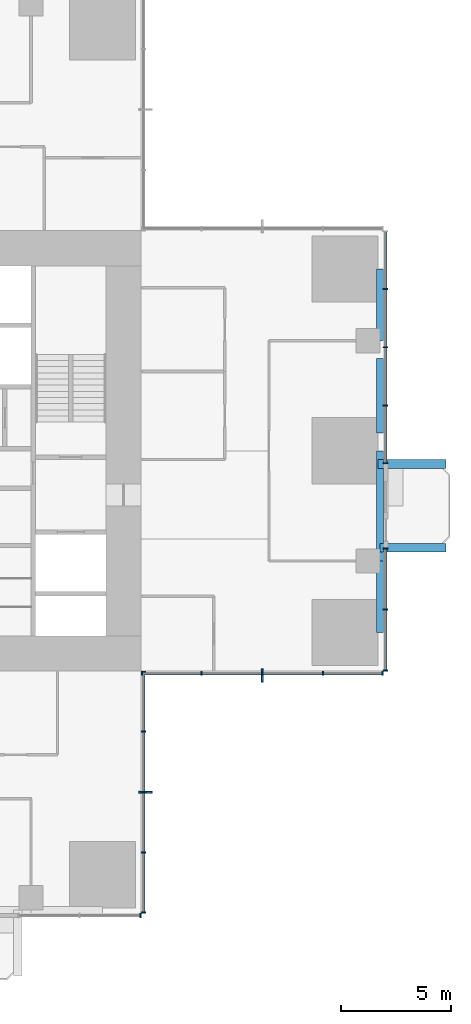
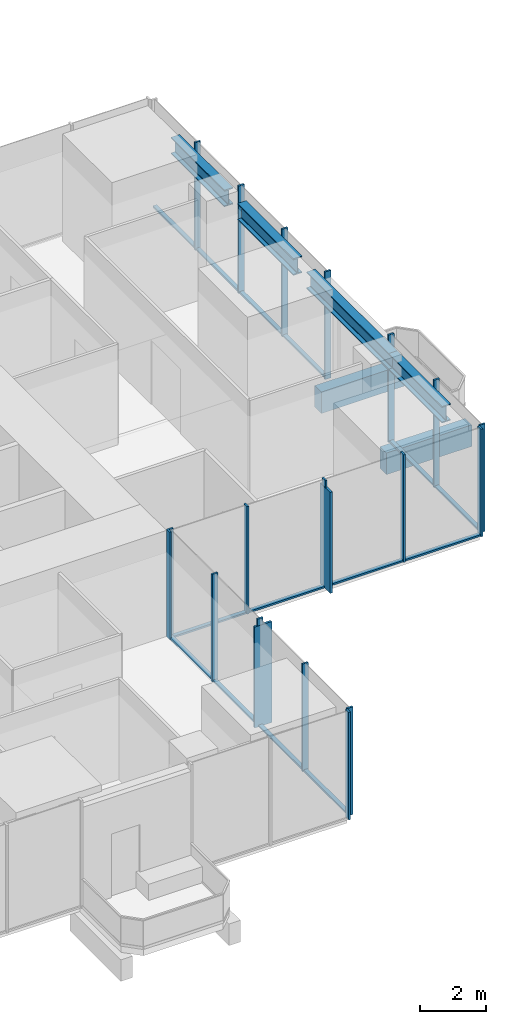
# One storey, part 4 of 13: 34 members, 6 beams, 5 elements without a shape of their own.
"""IFC4 building model written with IfcOpenShell, lengths in metres."""

from ifc_helpers import new_model, si_unit, direction, frame, origin, origin_2d, place, context, subcontext, project, spatial, rectangle, i_section, extrude, material, material_profile, profile_set, type_object, element, aggregate, save


model = new_model("IFC4")

# Units and contexts
model_context = context("Model", 3, precision=1e-05, world=origin(), true_north=direction((0.0, 1.0)))
body_context = subcontext(model_context, "Body", "Model", "MODEL_VIEW")
ifc_project = project(units=[si_unit("LENGTHUNIT", "METRE"), si_unit("AREAUNIT", "SQUARE_METRE"), si_unit("VOLUMEUNIT", "CUBIC_METRE"), si_unit("PLANEANGLEUNIT", "RADIAN"), si_unit("MASSUNIT", "GRAM", prefix="KILO")], contexts=[model_context])

# Site, building, storey
site_placement = place(None, origin())
site = spatial("IfcSite", under=ifc_project, at=site_placement, CompositionType="ELEMENT")
building_placement = place(site_placement, origin())
building = spatial("IfcBuilding", under=site, at=building_placement, Name="Svetlomir Tower", CompositionType="ELEMENT")
storey_placement = place(building_placement, frame((0.0, 0.0, 152.5)))
storey = spatial("IfcBuildingStorey", under=building, at=storey_placement, Name="L36", CompositionType="ELEMENT", Elevation=152.5)

# Beams
ifc_material_1 = material(Name="Concrete C60/75", Category="concrete")
ifc_material_profile_1 = material_profile(ifc_material_1, rectangle(XDim=0.39990234375, YDim=0.800048828125, at=origin_2d()), Name="RC 400x800")
ifc_profile_set_1 = profile_set([ifc_material_profile_1], Name="Concrete C60/75")
beam_type_1 = type_object("IfcBeamType", Name="BALCONY RIB RC 400x800", PredefinedType="BEAM", material=ifc_profile_set_1)
beam_1_placement = place(storey_placement, frame((41.85009765625, 16.60009765625, -0.64990234375), z_axis=(1.0, 0.0, 0.0), x_axis=(0.0, 1.0, 0.0)))
element("IfcBeam", 1, at=beam_1_placement, inside=storey, type_object=beam_type_1, Name="Balcony rib E 1 L36", PredefinedType="BEAM", context=body_context, shape_type="SweptSolid", body=[
    extrude(rectangle(XDim=0.39990234375, YDim=0.800048828125, at=origin_2d()), origin(), (0.0, 0.0, 1.0), 3.0),
])
beam_2_placement = place(storey_placement, frame((41.75, 20.39990234375, -0.64990234375), z_axis=(1.0, 0.0, 0.0), x_axis=(0.0, 1.0, 0.0)))
element("IfcBeam", 2, at=beam_2_placement, inside=storey, type_object=beam_type_1, Name="Balcony rib E 2 L36", PredefinedType="BEAM", context=body_context, shape_type="SweptSolid", body=[
    extrude(rectangle(XDim=0.39990234375, YDim=0.800048828125, at=origin_2d()), origin(), (0.0, 0.0, 1.0), 3.10009765625),
])

# Curtain wall, member
ifc_material_2 = material(Name="Bronze anodised aluminium curtain wall", Category="aluminium")
curtain_wall_type = type_object("IfcCurtainWallType", Name="CURTAIN WALL CW1 TOWER OFFICE", PredefinedType="NOTDEFINED", material=ifc_material_2)
curtain_wall_1_placement = place(storey_placement, origin())
curtain_wall_1 = element("IfcCurtainWall", 3, at=curtain_wall_1_placement, inside=storey, type_object=curtain_wall_type, Name="Curtain wall CW1 L36", PredefinedType="NOTDEFINED")
ifc_material_3 = material(Name="Bronze anodised aluminium", Category="aluminium")
ifc_material_profile_2 = material_profile(ifc_material_3, rectangle(XDim=0.080078125, YDim=0.60009765625, at=origin_2d()), Name="FIN 80x600")
ifc_profile_set_2 = profile_set([ifc_material_profile_2], Name="Bronze anodised aluminium 6063-T6")
member_type_1 = type_object("IfcMemberType", Name="BRONZE FIN 80x600", PredefinedType="USERDEFINED", material=ifc_profile_set_2)
member_1_placement = place(storey_placement, frame((31.199951171875, 5.5, 0.0), z_axis=(0.0, 0.0, 1.0), x_axis=(0.0, 1.0, 0.0)))
member_1 = element("IfcMember", 4, at=member_1_placement, type_object=member_type_1, Name="Bronze fin L36", ObjectType="FIN", PredefinedType="USERDEFINED", context=body_context, shape_type="SweptSolid", body=[
    extrude(rectangle(XDim=0.080078125, YDim=0.60009765625, at=origin_2d()), origin(), (0.0, 0.0, 1.0), 3.75),
])

curtain_wall_2_placement = place(storey_placement, origin())
curtain_wall_2 = element("IfcCurtainWall", 5, at=curtain_wall_2_placement, inside=storey, type_object=curtain_wall_type, Name="Curtain wall CW1 L36", PredefinedType="NOTDEFINED")
member_2_placement = place(storey_placement, frame((36.5, 10.800048828125, 0.0), z_axis=(0.0, 0.0, 1.0), x_axis=(1.0, 0.0, 0.0)))
member_2 = element("IfcMember", 6, at=member_2_placement, type_object=member_type_1, Name="Bronze fin L36", ObjectType="FIN", PredefinedType="USERDEFINED", context=body_context, shape_type="SweptSolid", body=[
    extrude(rectangle(XDim=0.080078125, YDim=0.60009765625, at=origin_2d()), origin(), (0.0, 0.0, 1.0), 3.75),
])

curtain_wall_3_placement = place(storey_placement, origin())
curtain_wall_3 = element("IfcCurtainWall", 7, at=curtain_wall_3_placement, inside=storey, type_object=curtain_wall_type, Name="Curtain wall CW1 L36", PredefinedType="NOTDEFINED")
ifc_material_4 = material(Name="Bronze anodised aluminium", Category="aluminium")
ifc_material_profile_3 = material_profile(ifc_material_4, rectangle(XDim=0.06494140625, YDim=0.199951171875, at=origin_2d()), Name="AL 65x200")
ifc_profile_set_3 = profile_set([ifc_material_profile_3], Name="Bronze anodised aluminium 6063-T6")
member_type_2 = type_object("IfcMemberType", Name="CW1 MULLION 65x200", PredefinedType="MULLION", material=ifc_profile_set_3)
member_3_placement = place(storey_placement, frame((30.967529296875, -0.10009765625, 0.0), z_axis=(0.0, 0.0, 1.0), x_axis=(1.0, 0.0, 0.0)))
member_3 = element("IfcMember", 8, at=member_3_placement, type_object=member_type_2, Name="CW1 mullion 3", PredefinedType="MULLION", context=body_context, shape_type="SweptSolid", body=[
    extrude(rectangle(XDim=0.06494140625, YDim=0.199951171875, at=origin_2d()), origin(), (0.0, 0.0, 1.0), 4.0),
])
aggregate(curtain_wall_3, [member_3])

# Member
member_4_placement = place(storey_placement, frame((31.10009765625, 0.032470703125, 0.0), z_axis=(0.0, 0.0, 1.0), x_axis=(0.0, 1.0, 0.0)))
member_4 = element("IfcMember", 9, at=member_4_placement, type_object=member_type_2, Name="CW1 mullion 1", PredefinedType="MULLION", context=body_context, shape_type="SweptSolid", body=[
    extrude(rectangle(XDim=0.06494140625, YDim=0.199951171875, at=origin_2d()), origin(), (0.0, 0.0, 1.0), 4.0),
])

member_5_placement = place(storey_placement, frame((31.10009765625, 2.75, 0.0), z_axis=(0.0, 0.0, 1.0), x_axis=(0.0, 1.0, 0.0)))
member_5 = element("IfcMember", 10, at=member_5_placement, type_object=member_type_2, Name="CW1 mullion 2", PredefinedType="MULLION", context=body_context, shape_type="SweptSolid", body=[
    extrude(rectangle(XDim=0.06494140625, YDim=0.199951171875, at=origin_2d()), origin(), (0.0, 0.0, 1.0), 4.0),
])

member_6_placement = place(storey_placement, frame((31.10009765625, 5.5, 0.0), z_axis=(0.0, 0.0, 1.0), x_axis=(0.0, 1.0, 0.0)))
member_6 = element("IfcMember", 11, at=member_6_placement, type_object=member_type_2, Name="CW1 mullion 3", PredefinedType="MULLION", context=body_context, shape_type="SweptSolid", body=[
    extrude(rectangle(XDim=0.06494140625, YDim=0.199951171875, at=origin_2d()), origin(), (0.0, 0.0, 1.0), 4.0),
])

member_7_placement = place(storey_placement, frame((31.10009765625, 8.25, 0.0), z_axis=(0.0, 0.0, 1.0), x_axis=(0.0, 1.0, 0.0)))
member_7 = element("IfcMember", 12, at=member_7_placement, type_object=member_type_2, Name="CW1 mullion 4", PredefinedType="MULLION", context=body_context, shape_type="SweptSolid", body=[
    extrude(rectangle(XDim=0.06494140625, YDim=0.199951171875, at=origin_2d()), origin(), (0.0, 0.0, 1.0), 4.0),
])

member_8_placement = place(storey_placement, frame((31.10009765625, 10.967529296875, 0.0), z_axis=(0.0, 0.0, 1.0), x_axis=(0.0, 1.0, 0.0)))
member_8 = element("IfcMember", 13, at=member_8_placement, type_object=member_type_2, Name="CW1 mullion 5", PredefinedType="MULLION", context=body_context, shape_type="SweptSolid", body=[
    extrude(rectangle(XDim=0.06494140625, YDim=0.199951171875, at=origin_2d()), origin(), (0.0, 0.0, 1.0), 4.0),
])

member_9_placement = place(storey_placement, frame((31.032470703125, 10.89990234375, 0.0), z_axis=(0.0, 0.0, 1.0), x_axis=(1.0, 0.0, 0.0)))
member_9 = element("IfcMember", 14, at=member_9_placement, type_object=member_type_2, Name="CW1 mullion 1", PredefinedType="MULLION", context=body_context, shape_type="SweptSolid", body=[
    extrude(rectangle(XDim=0.06494140625, YDim=0.199951171875, at=origin_2d()), origin(), (0.0, 0.0, 1.0), 4.0),
])

member_10_placement = place(storey_placement, frame((33.75, 10.89990234375, 0.0), z_axis=(0.0, 0.0, 1.0), x_axis=(1.0, 0.0, 0.0)))
member_10 = element("IfcMember", 15, at=member_10_placement, type_object=member_type_2, Name="CW1 mullion 2", PredefinedType="MULLION", context=body_context, shape_type="SweptSolid", body=[
    extrude(rectangle(XDim=0.06494140625, YDim=0.199951171875, at=origin_2d()), origin(), (0.0, 0.0, 1.0), 4.0),
])

member_11_placement = place(storey_placement, frame((36.5, 10.89990234375, 0.0), z_axis=(0.0, 0.0, 1.0), x_axis=(1.0, 0.0, 0.0)))
member_11 = element("IfcMember", 16, at=member_11_placement, type_object=member_type_2, Name="CW1 mullion 3", PredefinedType="MULLION", context=body_context, shape_type="SweptSolid", body=[
    extrude(rectangle(XDim=0.06494140625, YDim=0.199951171875, at=origin_2d()), origin(), (0.0, 0.0, 1.0), 4.0),
])

member_12_placement = place(storey_placement, frame((39.25, 10.89990234375, 0.0), z_axis=(0.0, 0.0, 1.0), x_axis=(1.0, 0.0, 0.0)))
member_12 = element("IfcMember", 17, at=member_12_placement, type_object=member_type_2, Name="CW1 mullion 4", PredefinedType="MULLION", context=body_context, shape_type="SweptSolid", body=[
    extrude(rectangle(XDim=0.06494140625, YDim=0.199951171875, at=origin_2d()), origin(), (0.0, 0.0, 1.0), 4.0),
])

member_13_placement = place(storey_placement, frame((41.967529296875, 10.89990234375, 0.0), z_axis=(0.0, 0.0, 1.0), x_axis=(1.0, 0.0, 0.0)))
member_13 = element("IfcMember", 18, at=member_13_placement, type_object=member_type_2, Name="CW1 mullion 5", PredefinedType="MULLION", context=body_context, shape_type="SweptSolid", body=[
    extrude(rectangle(XDim=0.06494140625, YDim=0.199951171875, at=origin_2d()), origin(), (0.0, 0.0, 1.0), 4.0),
])

# Curtain wall, members
curtain_wall_4_placement = place(storey_placement, origin())
curtain_wall_4 = element("IfcCurtainWall", 19, at=curtain_wall_4_placement, inside=storey, type_object=curtain_wall_type, Name="Curtain wall CW1 L36", PredefinedType="NOTDEFINED")
member_14_placement = place(storey_placement, frame((42.10009765625, 11.032470703125, 0.0), z_axis=(0.0, 0.0, 1.0), x_axis=(0.0, 1.0, 0.0)))
member_14 = element("IfcMember", 20, at=member_14_placement, type_object=member_type_2, Name="CW1 mullion 1", PredefinedType="MULLION", context=body_context, shape_type="SweptSolid", body=[
    extrude(rectangle(XDim=0.06494140625, YDim=0.199951171875, at=origin_2d()), origin(), (0.0, 0.0, 1.0), 4.0),
])
member_15_placement = place(storey_placement, frame((42.10009765625, 13.800048828125, 0.0), z_axis=(0.0, 0.0, 1.0), x_axis=(0.0, 1.0, 0.0)))
member_15 = element("IfcMember", 21, at=member_15_placement, type_object=member_type_2, Name="CW1 mullion 2", PredefinedType="MULLION", context=body_context, shape_type="SweptSolid", body=[
    extrude(rectangle(XDim=0.06494140625, YDim=0.199951171875, at=origin_2d()), origin(), (0.0, 0.0, 1.0), 4.0),
])
member_16_placement = place(storey_placement, frame((42.10009765625, 16.5673828125, 0.0), z_axis=(0.0, 0.0, 1.0), x_axis=(0.0, 1.0, 0.0)))
member_16 = element("IfcMember", 22, at=member_16_placement, type_object=member_type_2, Name="CW1 mullion 3", PredefinedType="MULLION", context=body_context, shape_type="SweptSolid", body=[
    extrude(rectangle(XDim=0.06494140625, YDim=0.199951171875, at=origin_2d()), origin(), (0.0, 0.0, 1.0), 4.0),
])

curtain_wall_5_placement = place(storey_placement, origin())
curtain_wall_5 = element("IfcCurtainWall", 23, at=curtain_wall_5_placement, inside=storey, type_object=curtain_wall_type, Name="Curtain wall CW1 L36", PredefinedType="NOTDEFINED")
member_17_placement = place(storey_placement, frame((42.10009765625, 20.4326171875, 0.0), z_axis=(0.0, 0.0, 1.0), x_axis=(0.0, 1.0, 0.0)))
member_17 = element("IfcMember", 24, at=member_17_placement, type_object=member_type_2, Name="CW1 mullion 1", PredefinedType="MULLION", context=body_context, shape_type="SweptSolid", body=[
    extrude(rectangle(XDim=0.06494140625, YDim=0.199951171875, at=origin_2d()), origin(), (0.0, 0.0, 1.0), 4.0),
])
member_18_placement = place(storey_placement, frame((42.10009765625, 23.050048828125, 0.0), z_axis=(0.0, 0.0, 1.0), x_axis=(0.0, 1.0, 0.0)))
member_18 = element("IfcMember", 25, at=member_18_placement, type_object=member_type_2, Name="CW1 mullion 2", PredefinedType="MULLION", context=body_context, shape_type="SweptSolid", body=[
    extrude(rectangle(XDim=0.06494140625, YDim=0.199951171875, at=origin_2d()), origin(), (0.0, 0.0, 1.0), 4.0),
])
member_19_placement = place(storey_placement, frame((42.10009765625, 25.699951171875, 0.0), z_axis=(0.0, 0.0, 1.0), x_axis=(0.0, 1.0, 0.0)))
member_19 = element("IfcMember", 26, at=member_19_placement, type_object=member_type_2, Name="CW1 mullion 3", PredefinedType="MULLION", context=body_context, shape_type="SweptSolid", body=[
    extrude(rectangle(XDim=0.06494140625, YDim=0.199951171875, at=origin_2d()), origin(), (0.0, 0.0, 1.0), 4.0),
])
member_20_placement = place(storey_placement, frame((42.10009765625, 28.35009765625, 0.0), z_axis=(0.0, 0.0, 1.0), x_axis=(0.0, 1.0, 0.0)))
member_20 = element("IfcMember", 27, at=member_20_placement, type_object=member_type_2, Name="CW1 mullion 4", PredefinedType="MULLION", context=body_context, shape_type="SweptSolid", body=[
    extrude(rectangle(XDim=0.06494140625, YDim=0.199951171875, at=origin_2d()), origin(), (0.0, 0.0, 1.0), 4.0),
])

# Member
ifc_material_5 = material(Name="Bronze anodised aluminium", Category="aluminium")
ifc_material_profile_4 = material_profile(ifc_material_5, rectangle(XDim=0.139892578125, YDim=0.06494140625, at=origin_2d()), Name="AL 140x65")
ifc_profile_set_4 = profile_set([ifc_material_profile_4], Name="Bronze anodised aluminium 6063-T6")
member_type_3 = type_object("IfcMemberType", Name="CW1 TRANSOM 65x140", PredefinedType="USERDEFINED", material=ifc_profile_set_4)
member_21_placement = place(storey_placement, frame((31.10009765625, 0.06494140625, 0.032470703125), z_axis=(0.0, 1.0, 0.0), x_axis=(-1.0, 0.0, 0.0)))
member_21 = element("IfcMember", 28, at=member_21_placement, type_object=member_type_3, Name="CW1 transom 1.1", ObjectType="TRANSOM", PredefinedType="USERDEFINED", context=body_context, shape_type="SweptSolid", body=[
    extrude(rectangle(XDim=0.139892578125, YDim=0.06494140625, at=origin_2d()), origin(), (0.0, 0.0, 1.0), 2.652587890625),
])

member_22_placement = place(storey_placement, frame((31.10009765625, 2.782470703125, 0.032470703125), z_axis=(0.0, 1.0, 0.0), x_axis=(-1.0, 0.0, 0.0)))
member_22 = element("IfcMember", 29, at=member_22_placement, type_object=member_type_3, Name="CW1 transom 2.1", ObjectType="TRANSOM", PredefinedType="USERDEFINED", context=body_context, shape_type="SweptSolid", body=[
    extrude(rectangle(XDim=0.139892578125, YDim=0.06494140625, at=origin_2d()), origin(), (0.0, 0.0, 1.0), 2.68505859375),
])

member_23_placement = place(storey_placement, frame((31.10009765625, 5.532470703125, 0.032470703125), z_axis=(0.0, 1.0, 0.0), x_axis=(-1.0, 0.0, 0.0)))
member_23 = element("IfcMember", 30, at=member_23_placement, type_object=member_type_3, Name="CW1 transom 3.1", ObjectType="TRANSOM", PredefinedType="USERDEFINED", context=body_context, shape_type="SweptSolid", body=[
    extrude(rectangle(XDim=0.139892578125, YDim=0.06494140625, at=origin_2d()), origin(), (0.0, 0.0, 1.0), 2.68505859375),
])

member_24_placement = place(storey_placement, frame((31.10009765625, 8.282470703125, 0.032470703125), z_axis=(0.0, 1.0, 0.0), x_axis=(-1.0, 0.0, 0.0)))
member_24 = element("IfcMember", 31, at=member_24_placement, type_object=member_type_3, Name="CW1 transom 4.1", ObjectType="TRANSOM", PredefinedType="USERDEFINED", context=body_context, shape_type="SweptSolid", body=[
    extrude(rectangle(XDim=0.139892578125, YDim=0.06494140625, at=origin_2d()), origin(), (0.0, 0.0, 1.0), 2.652587890625),
])

aggregate(curtain_wall_1, [member_4, member_5, member_6, member_7, member_8, member_21, member_22, member_23, member_24, member_1])

member_25_placement = place(storey_placement, frame((31.06494140625, 10.89990234375, 0.032470703125), z_axis=(1.0, 0.0, 0.0), x_axis=(0.0, 1.0, 0.0)))
member_25 = element("IfcMember", 32, at=member_25_placement, type_object=member_type_3, Name="CW1 transom 1.1", ObjectType="TRANSOM", PredefinedType="USERDEFINED", context=body_context, shape_type="SweptSolid", body=[
    extrude(rectangle(XDim=0.139892578125, YDim=0.06494140625, at=origin_2d()), origin(), (0.0, 0.0, 1.0), 2.652587890625),
])

member_26_placement = place(storey_placement, frame((33.782470703125, 10.89990234375, 0.032470703125), z_axis=(1.0, 0.0, 0.0), x_axis=(0.0, 1.0, 0.0)))
member_26 = element("IfcMember", 33, at=member_26_placement, type_object=member_type_3, Name="CW1 transom 2.1", ObjectType="TRANSOM", PredefinedType="USERDEFINED", context=body_context, shape_type="SweptSolid", body=[
    extrude(rectangle(XDim=0.139892578125, YDim=0.06494140625, at=origin_2d()), origin(), (0.0, 0.0, 1.0), 2.68505859375),
])

member_27_placement = place(storey_placement, frame((36.532470703125, 10.89990234375, 0.032470703125), z_axis=(1.0, 0.0, 0.0), x_axis=(0.0, 1.0, 0.0)))
member_27 = element("IfcMember", 34, at=member_27_placement, type_object=member_type_3, Name="CW1 transom 3.1", ObjectType="TRANSOM", PredefinedType="USERDEFINED", context=body_context, shape_type="SweptSolid", body=[
    extrude(rectangle(XDim=0.139892578125, YDim=0.06494140625, at=origin_2d()), origin(), (0.0, 0.0, 1.0), 2.68505859375),
])

member_28_placement = place(storey_placement, frame((39.282470703125, 10.89990234375, 0.032470703125), z_axis=(1.0, 0.0, 0.0), x_axis=(0.0, 1.0, 0.0)))
member_28 = element("IfcMember", 35, at=member_28_placement, type_object=member_type_3, Name="CW1 transom 4.1", ObjectType="TRANSOM", PredefinedType="USERDEFINED", context=body_context, shape_type="SweptSolid", body=[
    extrude(rectangle(XDim=0.139892578125, YDim=0.06494140625, at=origin_2d()), origin(), (0.0, 0.0, 1.0), 2.652587890625),
])

aggregate(curtain_wall_2, [member_9, member_10, member_11, member_12, member_13, member_25, member_26, member_27, member_28, member_2])

member_29_placement = place(storey_placement, frame((42.10009765625, 11.06494140625, 0.032470703125), z_axis=(0.0, 1.0, 0.0), x_axis=(-1.0, 0.0, 0.0)))
member_29 = element("IfcMember", 36, at=member_29_placement, type_object=member_type_3, Name="CW1 transom 1.1", ObjectType="TRANSOM", PredefinedType="USERDEFINED", context=body_context, shape_type="SweptSolid", body=[
    extrude(rectangle(XDim=0.139892578125, YDim=0.06494140625, at=origin_2d()), origin(), (0.0, 0.0, 1.0), 2.70263671875),
])

member_30_placement = place(storey_placement, frame((42.10009765625, 13.83251953125, 0.032470703125), z_axis=(0.0, 1.0, 0.0), x_axis=(-1.0, 0.0, 0.0)))
member_30 = element("IfcMember", 37, at=member_30_placement, type_object=member_type_3, Name="CW1 transom 2.1", ObjectType="TRANSOM", PredefinedType="USERDEFINED", context=body_context, shape_type="SweptSolid", body=[
    extrude(rectangle(XDim=0.139892578125, YDim=0.06494140625, at=origin_2d()), origin(), (0.0, 0.0, 1.0), 2.702392578125),
])

aggregate(curtain_wall_4, [member_14, member_15, member_16, member_29, member_30])

member_31_placement = place(storey_placement, frame((42.10009765625, 20.465087890625, 0.032470703125), z_axis=(0.0, 1.0, 0.0), x_axis=(-1.0, 0.0, 0.0)))
member_31 = element("IfcMember", 38, at=member_31_placement, type_object=member_type_3, Name="CW1 transom 1.1", ObjectType="TRANSOM", PredefinedType="USERDEFINED", context=body_context, shape_type="SweptSolid", body=[
    extrude(rectangle(XDim=0.139892578125, YDim=0.06494140625, at=origin_2d()), origin(), (0.0, 0.0, 1.0), 2.552490234375),
])

member_32_placement = place(storey_placement, frame((42.10009765625, 23.08251953125, 0.032470703125), z_axis=(0.0, 1.0, 0.0), x_axis=(-1.0, 0.0, 0.0)))
member_32 = element("IfcMember", 39, at=member_32_placement, type_object=member_type_3, Name="CW1 transom 2.1", ObjectType="TRANSOM", PredefinedType="USERDEFINED", context=body_context, shape_type="SweptSolid", body=[
    extrude(rectangle(XDim=0.139892578125, YDim=0.06494140625, at=origin_2d()), origin(), (0.0, 0.0, 1.0), 2.5849609375),
])

member_33_placement = place(storey_placement, frame((42.10009765625, 25.732421875, 0.032470703125), z_axis=(0.0, 1.0, 0.0), x_axis=(-1.0, 0.0, 0.0)))
member_33 = element("IfcMember", 40, at=member_33_placement, type_object=member_type_3, Name="CW1 transom 3.1", ObjectType="TRANSOM", PredefinedType="USERDEFINED", context=body_context, shape_type="SweptSolid", body=[
    extrude(rectangle(XDim=0.139892578125, YDim=0.06494140625, at=origin_2d()), origin(), (0.0, 0.0, 1.0), 2.5849609375),
])

member_34_placement = place(storey_placement, frame((42.10009765625, 28.382568359375, 0.032470703125), z_axis=(0.0, 1.0, 0.0), x_axis=(-1.0, 0.0, 0.0)))
member_34 = element("IfcMember", 41, at=member_34_placement, type_object=member_type_3, Name="CW1 transom 4.1", ObjectType="TRANSOM", PredefinedType="USERDEFINED", context=body_context, shape_type="SweptSolid", body=[
    extrude(rectangle(XDim=0.139892578125, YDim=0.06494140625, at=origin_2d()), origin(), (0.0, 0.0, 1.0), 2.552490234375),
])

aggregate(curtain_wall_5, [member_17, member_18, member_19, member_20, member_31, member_32, member_33, member_34])

# Beams
ifc_material_6 = material(Name="Steel S355", Category="steel")
ifc_material_profile_5 = material_profile(ifc_material_6, i_section(OverallWidth=0.304931640625, OverallDepth=0.6201171875, WebThickness=0.02099609375, FlangeThickness=0.0400390625, FilletRadius=0.027099609375, at=origin_2d()), Name="HEM 600")
ifc_profile_set_5 = profile_set([ifc_material_profile_5], Name="Steel S355")
beam_type_2 = type_object("IfcBeamType", Name="EDGE BEAM HEM 600", PredefinedType="SPANDREL", material=ifc_profile_set_5)
beam_3_placement = place(storey_placement, frame((41.847412109375, 12.75, 3.43994140625), z_axis=(0.0, 1.0, 0.0), x_axis=(-1.0, 0.0, 0.0)))
element("IfcBeam", 42, at=beam_3_placement, inside=storey, type_object=beam_type_2, Name="Edge beam 42/11 to 42/16 under L37", PredefinedType="SPANDREL", context=body_context, shape_type="SweptSolid", body=[
    extrude(i_section(OverallWidth=0.304931640625, OverallDepth=0.6201171875, WebThickness=0.02099609375, FlangeThickness=0.0400390625, FilletRadius=0.027099609375, at=origin_2d()), origin(), (0.0, 0.0, 1.0), 3.25),
])
beam_4_placement = place(storey_placement, frame((41.847412109375, 16.0, 3.43994140625), z_axis=(0.0, 1.0, 0.0), x_axis=(-1.0, 0.0, 0.0)))
element("IfcBeam", 43, at=beam_4_placement, inside=storey, type_object=beam_type_2, Name="Edge beam 42/16 to 42/21 under L37", PredefinedType="SPANDREL", context=body_context, shape_type="SweptSolid", body=[
    extrude(i_section(OverallWidth=0.304931640625, OverallDepth=0.6201171875, WebThickness=0.02099609375, FlangeThickness=0.0400390625, FilletRadius=0.027099609375, at=origin_2d()), origin(), (0.0, 0.0, 1.0), 5.0),
])
beam_5_placement = place(storey_placement, frame((41.847412109375, 21.800048828125, 3.43994140625), z_axis=(0.0, 1.0, 0.0), x_axis=(-1.0, 0.0, 0.0)))
element("IfcBeam", 44, at=beam_5_placement, inside=storey, type_object=beam_type_2, Name="Edge beam 42/21 to 42/26 under L37", PredefinedType="SPANDREL", context=body_context, shape_type="SweptSolid", body=[
    extrude(i_section(OverallWidth=0.304931640625, OverallDepth=0.6201171875, WebThickness=0.02099609375, FlangeThickness=0.0400390625, FilletRadius=0.027099609375, at=origin_2d()), origin(), (0.0, 0.0, 1.0), 3.39990234375),
])
beam_6_placement = place(storey_placement, frame((41.847412109375, 26.0, 3.43994140625), z_axis=(0.0, 1.0, 0.0), x_axis=(-1.0, 0.0, 0.0)))
element("IfcBeam", 45, at=beam_6_placement, inside=storey, type_object=beam_type_2, Name="Edge beam 42/26 to 42/31 under L37", PredefinedType="SPANDREL", context=body_context, shape_type="SweptSolid", body=[
    extrude(i_section(OverallWidth=0.304931640625, OverallDepth=0.6201171875, WebThickness=0.02099609375, FlangeThickness=0.0400390625, FilletRadius=0.027099609375, at=origin_2d()), origin(), (0.0, 0.0, 1.0), 3.25),
])

save(model, "model.ifc")
